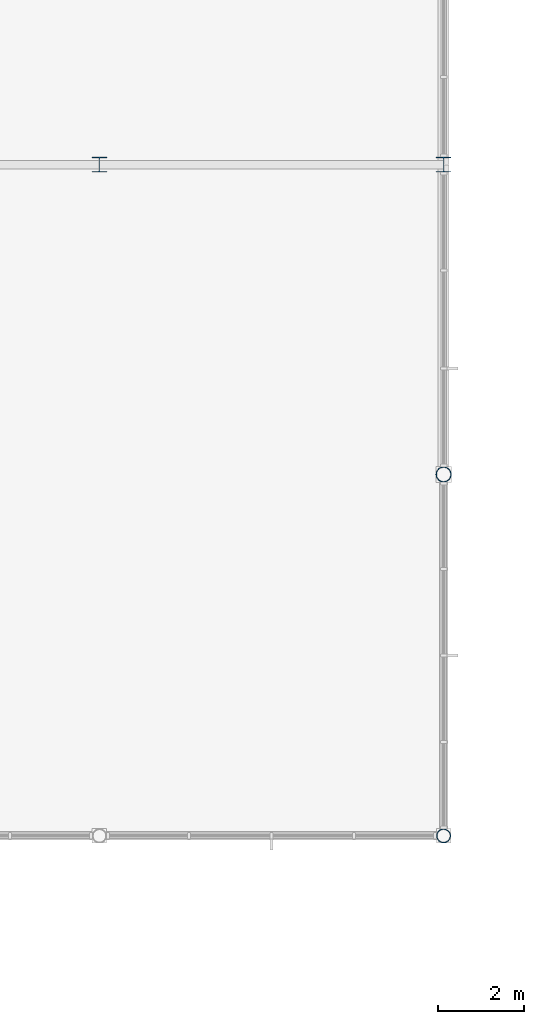
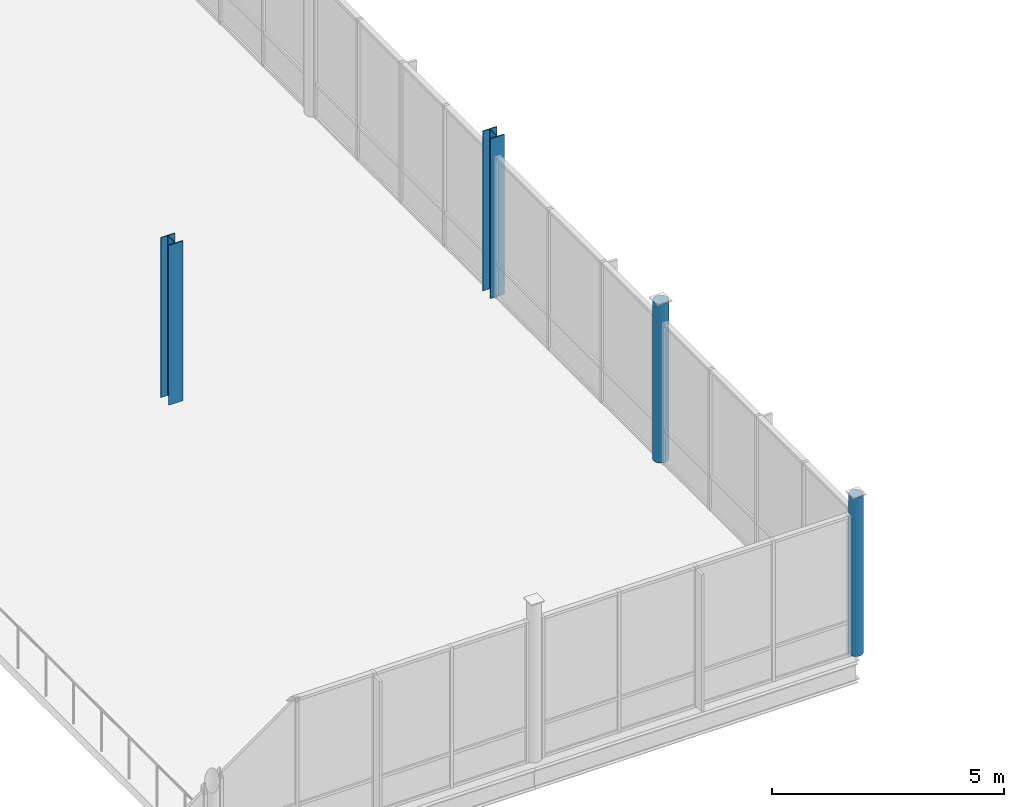
# One storey, part 5 of 75: 4 columns.
"""IFC4 building model written with IfcOpenShell, lengths in metres."""

from ifc_helpers import new_model, si_unit, direction, frame, origin, origin_2d, place, context, subcontext, project, spatial, hollow_circle, i_section, extrude, material, material_profile, profile_set, type_object, element, save


model = new_model("IFC4")

# Units and contexts
model_context = context("Model", 3, precision=1e-05, world=origin(), true_north=direction((0.0, 1.0)))
body_context = subcontext(model_context, "Body", "Model", "MODEL_VIEW")
ifc_project = project(units=[si_unit("LENGTHUNIT", "METRE"), si_unit("AREAUNIT", "SQUARE_METRE"), si_unit("VOLUMEUNIT", "CUBIC_METRE"), si_unit("PLANEANGLEUNIT", "RADIAN"), si_unit("MASSUNIT", "GRAM", prefix="KILO")], contexts=[model_context])

# Site, building, storey
site_placement = place(None, origin())
site = spatial("IfcSite", under=ifc_project, at=site_placement, CompositionType="ELEMENT")
building_placement = place(site_placement, origin())
building = spatial("IfcBuilding", under=site, at=building_placement, Name="Yukiwa Park Conservatory and Herbarium", CompositionType="ELEMENT")
storey_placement = place(building_placement, frame((0.0, 0.0, 4.800048828125)))
storey = spatial("IfcBuildingStorey", under=building, at=storey_placement, Name="L01", CompositionType="ELEMENT", Elevation=4.800048828125)

# Columns
ifc_material_1 = material(Name="Steel Q355D", Category="steel")
ifc_material_profile_1 = material_profile(ifc_material_1, hollow_circle(Radius=0.16259765625, WallThickness=0.011962890625, at=origin_2d()), Name="CHS 325x12")
ifc_profile_set_1 = profile_set([ifc_material_profile_1], Name="Steel Q355D")
column_type_1 = type_object("IfcColumnType", Name="COL-CN-CHS325-EXT", PredefinedType="COLUMN", material=ifc_profile_set_1)
column_1_placement = place(storey_placement, frame((108.0, 15.60009765625, 0.0), z_axis=(0.0, 0.0, 1.0), x_axis=(1.0, 0.0, 0.0)))
element("IfcColumn", 1, at=column_1_placement, inside=storey, type_object=column_type_1, Name="L01 column V2-X1080-Y156", PredefinedType="COLUMN", context=body_context, shape_type="SweptSolid", body=[
    extrude(hollow_circle(Radius=0.16259765625, WallThickness=0.011962890625, at=origin_2d()), origin(), (0.0, 0.0, 1.0), 4.176025390625),
])
ifc_material_2 = material(Name="Steel Q355D", Category="steel")
ifc_material_profile_2 = material_profile(ifc_material_2, hollow_circle(Radius=0.177734375, WallThickness=0.012451171875, at=origin_2d()), Name="CHS 355.6x12.5")
ifc_profile_set_2 = profile_set([ifc_material_profile_2], Name="Steel Q355D")
column_type_2 = type_object("IfcColumnType", Name="COL-CN-CHS356", PredefinedType="COLUMN", material=ifc_profile_set_2)
column_2_placement = place(storey_placement, frame((108.0, 24.0, 0.0), z_axis=(0.0, 0.0, 1.0), x_axis=(1.0, 0.0, 0.0)))
element("IfcColumn", 2, at=column_2_placement, inside=storey, type_object=column_type_2, Name="L01 column V2-X1080-Y240", PredefinedType="COLUMN", context=body_context, shape_type="SweptSolid", body=[
    extrude(hollow_circle(Radius=0.177734375, WallThickness=0.012451171875, at=origin_2d()), origin(), (0.0, 0.0, 1.0), 4.176025390625),
])
ifc_material_3 = material(Name="Steel Q355D", Category="steel")
ifc_material_profile_3 = material_profile(ifc_material_3, i_section(OverallWidth=0.35009765625, OverallDepth=0.35009765625, WebThickness=0.011962890625, FlangeThickness=0.01904296875, FilletRadius=0.02001953125, at=origin_2d()), Name="HW 350x350x12x19")
ifc_profile_set_3 = profile_set([ifc_material_profile_3], Name="Steel Q355D")
column_type_3 = type_object("IfcColumnType", Name="COL-TW-HW350", PredefinedType="COLUMN", material=ifc_profile_set_3)
for number, where, z_axis, x_axis, name in (
    (3, (100.0, 31.199951171875, 0.0), (0.0, 0.0, 1.0), (1.0, 0.0, 0.0), "L01 column V2-X1000-Y312"),
    (4, (108.0, 31.199951171875, 0.0), (0.0, 0.0, 1.0), (1.0, 0.0, 0.0), "L01 column V2-X1080-Y312"),
):
    element("IfcColumn", number, at=place(storey_placement, frame(where, z_axis=z_axis, x_axis=x_axis)), inside=storey, type_object=column_type_3, Name=name, PredefinedType="COLUMN", context=body_context, shape_type="SweptSolid", body=[
        extrude(i_section(OverallWidth=0.35009765625, OverallDepth=0.35009765625, WebThickness=0.011962890625, FlangeThickness=0.01904296875, FilletRadius=0.02001953125, at=origin_2d()), origin(), (0.0, 0.0, 1.0), 4.199951171875),
    ])

save(model, "model.ifc")
